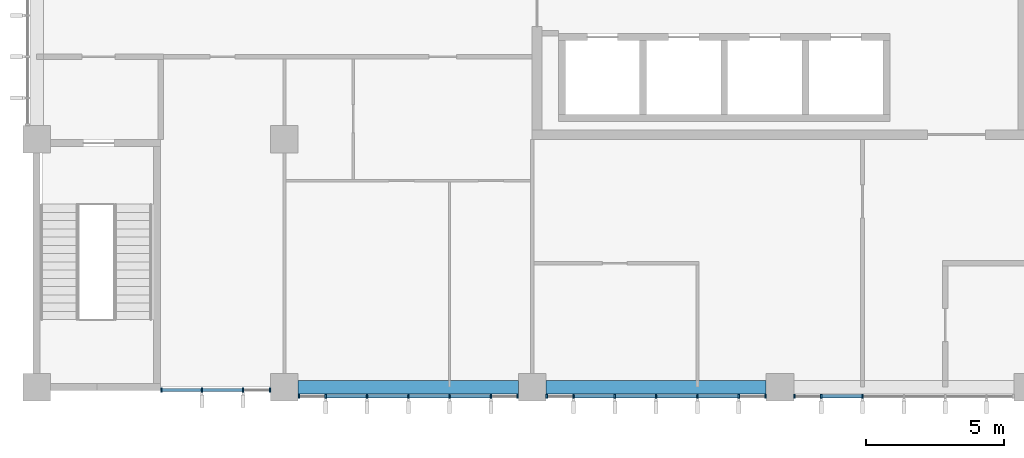
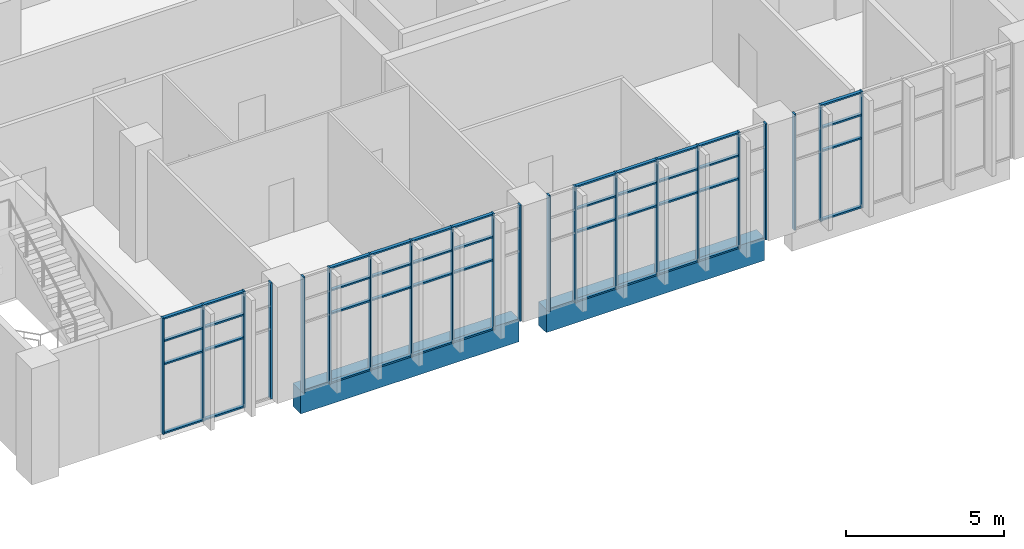
# One storey, part 29 of 88: 65 members, 2 beams, 4 elements without a shape of their own.
"""IFC4 building model written with IfcOpenShell, lengths in metres."""

from ifc_helpers import new_model, si_unit, direction, frame, origin, origin_2d, place, context, subcontext, project, spatial, rectangle, extrude, material, layer, layer_set, material_profile, profile_set, type_object, element, aggregate, save


model = new_model("IFC4")

# Units and contexts
model_context = context("Model", 3, precision=1e-05, world=origin(), true_north=direction((0.0, 1.0)))
body_context = subcontext(model_context, "Body", "Model", "MODEL_VIEW")
ifc_project = project(units=[si_unit("LENGTHUNIT", "METRE"), si_unit("AREAUNIT", "SQUARE_METRE"), si_unit("VOLUMEUNIT", "CUBIC_METRE"), si_unit("PLANEANGLEUNIT", "RADIAN"), si_unit("MASSUNIT", "GRAM", prefix="KILO")], contexts=[model_context])

# Site, building, storey
site_placement = place(None, origin())
site = spatial("IfcSite", under=ifc_project, at=site_placement, CompositionType="ELEMENT")
building_placement = place(site_placement, origin())
building = spatial("IfcBuilding", under=site, at=building_placement, Name="Guidao Yard Department Store", CompositionType="ELEMENT")
storey_placement = place(building_placement, frame((0.0, 0.0, 6.0)))
storey = spatial("IfcBuildingStorey", under=building, at=storey_placement, Name="L01", CompositionType="ELEMENT", Elevation=6.0)

# Curtain wall, members
ifc_material_1 = material(Name="Aluminium and glass", Category="aluminium")
ifc_layer = layer(ifc_material_1, 0.159912109375)
ifc_layer_set = layer_set([ifc_layer], Name="Unitised curtain wall CW4 1500 module")
curtain_wall_type = type_object("IfcCurtainWallType", Name="Unitised curtain wall CW4 1500 module", PredefinedType="NOTDEFINED", material=ifc_layer_set)
curtain_wall_1_placement = place(storey_placement, origin())
curtain_wall_1 = element("IfcCurtainWall", 1, at=curtain_wall_1_placement, inside=storey, type_object=curtain_wall_type, Name="Unitised curtain wall", PredefinedType="NOTDEFINED")
ifc_material_2 = material(Name="Aluminium 6063-T5", Category="aluminium")
ifc_material_profile_1 = material_profile(ifc_material_2, rectangle(XDim=0.06005859375, YDim=0.159912109375, at=origin_2d()), Name="Mullion M1 60 x 160 aluminium pressure plate")
ifc_profile_set_1 = profile_set([ifc_material_profile_1], Name="Aluminium 6063-T5")
member_type_1 = type_object("IfcMemberType", Name="Mullion M1 60 x 160 aluminium pressure plate", PredefinedType="MULLION", material=ifc_profile_set_1)
member_1_placement = place(storey_placement, frame((130.530029296875, -0.10009765625, 0.0), z_axis=(0.0, 0.0, 1.0), x_axis=(-1.0, 0.0, 0.0)))
member_1 = element("IfcMember", 2, at=member_1_placement, type_object=member_type_1, Name="CW-OW-L01-01 mullion 1", PredefinedType="MULLION", context=body_context, shape_type="SweptSolid", body=[
    extrude(rectangle(XDim=0.06005859375, YDim=0.159912109375, at=origin_2d()), origin(), (0.0, 0.0, 1.0), 4.5),
])
member_2_placement = place(storey_placement, frame((132.0, -0.10009765625, 0.0), z_axis=(0.0, 0.0, 1.0), x_axis=(-1.0, 0.0, 0.0)))
member_2 = element("IfcMember", 3, at=member_2_placement, type_object=member_type_1, Name="CW-OW-L01-01 mullion 2", PredefinedType="MULLION", context=body_context, shape_type="SweptSolid", body=[
    extrude(rectangle(XDim=0.06005859375, YDim=0.159912109375, at=origin_2d()), origin(), (0.0, 0.0, 1.0), 4.5),
])
member_3_placement = place(storey_placement, frame((133.5, -0.10009765625, 0.0), z_axis=(0.0, 0.0, 1.0), x_axis=(-1.0, 0.0, 0.0)))
member_3 = element("IfcMember", 4, at=member_3_placement, type_object=member_type_1, Name="CW-OW-L01-01 mullion 3", PredefinedType="MULLION", context=body_context, shape_type="SweptSolid", body=[
    extrude(rectangle(XDim=0.06005859375, YDim=0.159912109375, at=origin_2d()), origin(), (0.0, 0.0, 1.0), 4.5),
])
member_4_placement = place(storey_placement, frame((134.469970703125, -0.10009765625, 0.0), z_axis=(0.0, 0.0, 1.0), x_axis=(-1.0, 0.0, 0.0)))
member_4 = element("IfcMember", 5, at=member_4_placement, type_object=member_type_1, Name="CW-OW-L01-01 mullion 4", PredefinedType="MULLION", context=body_context, shape_type="SweptSolid", body=[
    extrude(rectangle(XDim=0.06005859375, YDim=0.159912109375, at=origin_2d()), origin(), (0.0, 0.0, 1.0), 4.5),
])

curtain_wall_2_placement = place(storey_placement, origin())
curtain_wall_2 = element("IfcCurtainWall", 6, at=curtain_wall_2_placement, inside=storey, type_object=curtain_wall_type, Name="Unitised curtain wall", PredefinedType="NOTDEFINED")
member_5_placement = place(storey_placement, frame((135.530029296875, -0.330078125, 0.0), z_axis=(0.0, 0.0, 1.0), x_axis=(-1.0, 0.0, 0.0)))
member_5 = element("IfcMember", 7, at=member_5_placement, type_object=member_type_1, Name="CW-OW-L01-02 mullion 1", PredefinedType="MULLION", context=body_context, shape_type="SweptSolid", body=[
    extrude(rectangle(XDim=0.06005859375, YDim=0.159912109375, at=origin_2d()), origin(), (0.0, 0.0, 1.0), 4.5),
])
member_6_placement = place(storey_placement, frame((136.5, -0.330078125, 0.0), z_axis=(0.0, 0.0, 1.0), x_axis=(-1.0, 0.0, 0.0)))
member_6 = element("IfcMember", 8, at=member_6_placement, type_object=member_type_1, Name="CW-OW-L01-02 mullion 2", PredefinedType="MULLION", context=body_context, shape_type="SweptSolid", body=[
    extrude(rectangle(XDim=0.06005859375, YDim=0.159912109375, at=origin_2d()), origin(), (0.0, 0.0, 1.0), 4.5),
])
member_7_placement = place(storey_placement, frame((138.0, -0.330078125, 0.0), z_axis=(0.0, 0.0, 1.0), x_axis=(-1.0, 0.0, 0.0)))
member_7 = element("IfcMember", 9, at=member_7_placement, type_object=member_type_1, Name="CW-OW-L01-02 mullion 3", PredefinedType="MULLION", context=body_context, shape_type="SweptSolid", body=[
    extrude(rectangle(XDim=0.06005859375, YDim=0.159912109375, at=origin_2d()), origin(), (0.0, 0.0, 1.0), 4.5),
])
member_8_placement = place(storey_placement, frame((139.5, -0.330078125, 0.0), z_axis=(0.0, 0.0, 1.0), x_axis=(-1.0, 0.0, 0.0)))
member_8 = element("IfcMember", 10, at=member_8_placement, type_object=member_type_1, Name="CW-OW-L01-02 mullion 4", PredefinedType="MULLION", context=body_context, shape_type="SweptSolid", body=[
    extrude(rectangle(XDim=0.06005859375, YDim=0.159912109375, at=origin_2d()), origin(), (0.0, 0.0, 1.0), 4.5),
])
member_9_placement = place(storey_placement, frame((141.0, -0.330078125, 0.0), z_axis=(0.0, 0.0, 1.0), x_axis=(-1.0, 0.0, 0.0)))
member_9 = element("IfcMember", 11, at=member_9_placement, type_object=member_type_1, Name="CW-OW-L01-02 mullion 5", PredefinedType="MULLION", context=body_context, shape_type="SweptSolid", body=[
    extrude(rectangle(XDim=0.06005859375, YDim=0.159912109375, at=origin_2d()), origin(), (0.0, 0.0, 1.0), 4.5),
])
member_10_placement = place(storey_placement, frame((142.5, -0.330078125, 0.0), z_axis=(0.0, 0.0, 1.0), x_axis=(-1.0, 0.0, 0.0)))
member_10 = element("IfcMember", 12, at=member_10_placement, type_object=member_type_1, Name="CW-OW-L01-02 mullion 6", PredefinedType="MULLION", context=body_context, shape_type="SweptSolid", body=[
    extrude(rectangle(XDim=0.06005859375, YDim=0.159912109375, at=origin_2d()), origin(), (0.0, 0.0, 1.0), 4.5),
])
member_11_placement = place(storey_placement, frame((143.469970703125, -0.330078125, 0.0), z_axis=(0.0, 0.0, 1.0), x_axis=(-1.0, 0.0, 0.0)))
member_11 = element("IfcMember", 13, at=member_11_placement, type_object=member_type_1, Name="CW-OW-L01-02 mullion 7", PredefinedType="MULLION", context=body_context, shape_type="SweptSolid", body=[
    extrude(rectangle(XDim=0.06005859375, YDim=0.159912109375, at=origin_2d()), origin(), (0.0, 0.0, 1.0), 4.5),
])

curtain_wall_3_placement = place(storey_placement, origin())
curtain_wall_3 = element("IfcCurtainWall", 14, at=curtain_wall_3_placement, inside=storey, type_object=curtain_wall_type, Name="Unitised curtain wall", PredefinedType="NOTDEFINED")
member_12_placement = place(storey_placement, frame((144.530029296875, -0.330078125, 0.0), z_axis=(0.0, 0.0, 1.0), x_axis=(-1.0, 0.0, 0.0)))
member_12 = element("IfcMember", 15, at=member_12_placement, type_object=member_type_1, Name="CW-OW-L01-03 mullion 1", PredefinedType="MULLION", context=body_context, shape_type="SweptSolid", body=[
    extrude(rectangle(XDim=0.06005859375, YDim=0.159912109375, at=origin_2d()), origin(), (0.0, 0.0, 1.0), 4.5),
])
member_13_placement = place(storey_placement, frame((145.5, -0.330078125, 0.0), z_axis=(0.0, 0.0, 1.0), x_axis=(-1.0, 0.0, 0.0)))
member_13 = element("IfcMember", 16, at=member_13_placement, type_object=member_type_1, Name="CW-OW-L01-03 mullion 2", PredefinedType="MULLION", context=body_context, shape_type="SweptSolid", body=[
    extrude(rectangle(XDim=0.06005859375, YDim=0.159912109375, at=origin_2d()), origin(), (0.0, 0.0, 1.0), 4.5),
])
member_14_placement = place(storey_placement, frame((147.0, -0.330078125, 0.0), z_axis=(0.0, 0.0, 1.0), x_axis=(-1.0, 0.0, 0.0)))
member_14 = element("IfcMember", 17, at=member_14_placement, type_object=member_type_1, Name="CW-OW-L01-03 mullion 3", PredefinedType="MULLION", context=body_context, shape_type="SweptSolid", body=[
    extrude(rectangle(XDim=0.06005859375, YDim=0.159912109375, at=origin_2d()), origin(), (0.0, 0.0, 1.0), 4.5),
])
member_15_placement = place(storey_placement, frame((148.5, -0.330078125, 0.0), z_axis=(0.0, 0.0, 1.0), x_axis=(-1.0, 0.0, 0.0)))
member_15 = element("IfcMember", 18, at=member_15_placement, type_object=member_type_1, Name="CW-OW-L01-03 mullion 4", PredefinedType="MULLION", context=body_context, shape_type="SweptSolid", body=[
    extrude(rectangle(XDim=0.06005859375, YDim=0.159912109375, at=origin_2d()), origin(), (0.0, 0.0, 1.0), 4.5),
])
member_16_placement = place(storey_placement, frame((150.0, -0.330078125, 0.0), z_axis=(0.0, 0.0, 1.0), x_axis=(-1.0, 0.0, 0.0)))
member_16 = element("IfcMember", 19, at=member_16_placement, type_object=member_type_1, Name="CW-OW-L01-03 mullion 5", PredefinedType="MULLION", context=body_context, shape_type="SweptSolid", body=[
    extrude(rectangle(XDim=0.06005859375, YDim=0.159912109375, at=origin_2d()), origin(), (0.0, 0.0, 1.0), 4.5),
])
member_17_placement = place(storey_placement, frame((151.5, -0.330078125, 0.0), z_axis=(0.0, 0.0, 1.0), x_axis=(-1.0, 0.0, 0.0)))
member_17 = element("IfcMember", 20, at=member_17_placement, type_object=member_type_1, Name="CW-OW-L01-03 mullion 6", PredefinedType="MULLION", context=body_context, shape_type="SweptSolid", body=[
    extrude(rectangle(XDim=0.06005859375, YDim=0.159912109375, at=origin_2d()), origin(), (0.0, 0.0, 1.0), 4.5),
])
member_18_placement = place(storey_placement, frame((152.469970703125, -0.330078125, 0.0), z_axis=(0.0, 0.0, 1.0), x_axis=(-1.0, 0.0, 0.0)))
member_18 = element("IfcMember", 21, at=member_18_placement, type_object=member_type_1, Name="CW-OW-L01-03 mullion 7", PredefinedType="MULLION", context=body_context, shape_type="SweptSolid", body=[
    extrude(rectangle(XDim=0.06005859375, YDim=0.159912109375, at=origin_2d()), origin(), (0.0, 0.0, 1.0), 4.5),
])

curtain_wall_4_placement = place(storey_placement, origin())
curtain_wall_4 = element("IfcCurtainWall", 22, at=curtain_wall_4_placement, inside=storey, type_object=curtain_wall_type, Name="Unitised curtain wall", PredefinedType="NOTDEFINED")
member_19_placement = place(storey_placement, frame((153.530029296875, -0.330078125, 0.0), z_axis=(0.0, 0.0, 1.0), x_axis=(-1.0, 0.0, 0.0)))
member_19 = element("IfcMember", 23, at=member_19_placement, type_object=member_type_1, Name="CW-OW-L01-04 mullion 1", PredefinedType="MULLION", context=body_context, shape_type="SweptSolid", body=[
    extrude(rectangle(XDim=0.06005859375, YDim=0.159912109375, at=origin_2d()), origin(), (0.0, 0.0, 1.0), 4.5),
])
member_20_placement = place(storey_placement, frame((154.5, -0.330078125, 0.0), z_axis=(0.0, 0.0, 1.0), x_axis=(-1.0, 0.0, 0.0)))
member_20 = element("IfcMember", 24, at=member_20_placement, type_object=member_type_1, Name="CW-OW-L01-04 mullion 2", PredefinedType="MULLION", context=body_context, shape_type="SweptSolid", body=[
    extrude(rectangle(XDim=0.06005859375, YDim=0.159912109375, at=origin_2d()), origin(), (0.0, 0.0, 1.0), 4.5),
])
member_21_placement = place(storey_placement, frame((156.0, -0.330078125, 0.0), z_axis=(0.0, 0.0, 1.0), x_axis=(-1.0, 0.0, 0.0)))
member_21 = element("IfcMember", 25, at=member_21_placement, type_object=member_type_1, Name="CW-OW-L01-04 mullion 3", PredefinedType="MULLION", context=body_context, shape_type="SweptSolid", body=[
    extrude(rectangle(XDim=0.06005859375, YDim=0.159912109375, at=origin_2d()), origin(), (0.0, 0.0, 1.0), 4.5),
])

# Beams
ifc_material_3 = material(Name="Concrete C40", Category="concrete")
ifc_material_profile_2 = material_profile(ifc_material_3, rectangle(XDim=0.5, YDim=0.89990234375, at=origin_2d()), Name="Spandrel beam 500 x 900 C40")
ifc_profile_set_2 = profile_set([ifc_material_profile_2], Name="Concrete C40")
beam_type = type_object("IfcBeamType", Name="Spandrel beam 500 x 900 C40", PredefinedType="SPANDREL", material=ifc_profile_set_2)
for number, where, z_axis, x_axis, name in (
    (26, (135.5, 0.0, -0.449951171875), (1.0, 0.0, 0.0), (0.0, 1.0, 0.0), "Beam FB01"),
    (27, (144.5, 0.0, -0.449951171875), (1.0, 0.0, 0.0), (0.0, 1.0, 0.0), "Beam FB02"),
):
    element("IfcBeam", number, at=place(storey_placement, frame(where, z_axis=z_axis, x_axis=x_axis)), inside=storey, type_object=beam_type, Name=name, PredefinedType="SPANDREL", context=body_context, shape_type="SweptSolid", body=[
        extrude(rectangle(XDim=0.5, YDim=0.89990234375, at=origin_2d()), origin(), (0.0, 0.0, 1.0), 8.0),
    ])

# Member
ifc_material_4 = material(Name="Aluminium 6063-T5", Category="aluminium")
ifc_material_profile_3 = material_profile(ifc_material_4, rectangle(XDim=0.1201171875, YDim=0.06005859375, at=origin_2d()), Name="Transom T1 60 x 120 aluminium pressure plate")
ifc_profile_set_3 = profile_set([ifc_material_profile_3], Name="Aluminium 6063-T5")
member_type_2 = type_object("IfcMemberType", Name="Transom T1 60 x 120 aluminium pressure plate", PredefinedType="USERDEFINED", material=ifc_profile_set_3)
member_22_placement = place(storey_placement, frame((131.969970703125, -0.10009765625, 0.030029296875), z_axis=(-1.0, 0.0, 0.0), x_axis=(0.0, -1.0, 0.0)))
member_22 = element("IfcMember", 28, at=member_22_placement, type_object=member_type_2, Name="CW-OW-L01-01 transom 1.1", ObjectType="TRANSOM", PredefinedType="USERDEFINED", context=body_context, shape_type="SweptSolid", body=[
    extrude(rectangle(XDim=0.1201171875, YDim=0.06005859375, at=origin_2d()), origin(), (0.0, 0.0, 1.0), 1.409912109375),
])

member_23_placement = place(storey_placement, frame((131.969970703125, -0.10009765625, 2.699951171875), z_axis=(-1.0, 0.0, 0.0), x_axis=(0.0, -1.0, 0.0)))
member_23 = element("IfcMember", 29, at=member_23_placement, type_object=member_type_2, Name="CW-OW-L01-01 transom 1.2", ObjectType="TRANSOM", PredefinedType="USERDEFINED", context=body_context, shape_type="SweptSolid", body=[
    extrude(rectangle(XDim=0.1201171875, YDim=0.06005859375, at=origin_2d()), origin(), (0.0, 0.0, 1.0), 1.409912109375),
])

member_24_placement = place(storey_placement, frame((131.969970703125, -0.10009765625, 3.60009765625), z_axis=(-1.0, 0.0, 0.0), x_axis=(0.0, -1.0, 0.0)))
member_24 = element("IfcMember", 30, at=member_24_placement, type_object=member_type_2, Name="CW-OW-L01-01 transom 1.3", ObjectType="TRANSOM", PredefinedType="USERDEFINED", context=body_context, shape_type="SweptSolid", body=[
    extrude(rectangle(XDim=0.1201171875, YDim=0.06005859375, at=origin_2d()), origin(), (0.0, 0.0, 1.0), 1.409912109375),
])

member_25_placement = place(storey_placement, frame((131.969970703125, -0.10009765625, 4.469970703125), z_axis=(-1.0, 0.0, 0.0), x_axis=(0.0, -1.0, 0.0)))
member_25 = element("IfcMember", 31, at=member_25_placement, type_object=member_type_2, Name="CW-OW-L01-01 transom 1.4", ObjectType="TRANSOM", PredefinedType="USERDEFINED", context=body_context, shape_type="SweptSolid", body=[
    extrude(rectangle(XDim=0.1201171875, YDim=0.06005859375, at=origin_2d()), origin(), (0.0, 0.0, 1.0), 1.409912109375),
])

member_26_placement = place(storey_placement, frame((133.469970703125, -0.10009765625, 0.030029296875), z_axis=(-1.0, 0.0, 0.0), x_axis=(0.0, -1.0, 0.0)))
member_26 = element("IfcMember", 32, at=member_26_placement, type_object=member_type_2, Name="CW-OW-L01-01 transom 2.1", ObjectType="TRANSOM", PredefinedType="USERDEFINED", context=body_context, shape_type="SweptSolid", body=[
    extrude(rectangle(XDim=0.1201171875, YDim=0.06005859375, at=origin_2d()), origin(), (0.0, 0.0, 1.0), 1.43994140625),
])

member_27_placement = place(storey_placement, frame((133.469970703125, -0.10009765625, 2.699951171875), z_axis=(-1.0, 0.0, 0.0), x_axis=(0.0, -1.0, 0.0)))
member_27 = element("IfcMember", 33, at=member_27_placement, type_object=member_type_2, Name="CW-OW-L01-01 transom 2.2", ObjectType="TRANSOM", PredefinedType="USERDEFINED", context=body_context, shape_type="SweptSolid", body=[
    extrude(rectangle(XDim=0.1201171875, YDim=0.06005859375, at=origin_2d()), origin(), (0.0, 0.0, 1.0), 1.43994140625),
])

member_28_placement = place(storey_placement, frame((133.469970703125, -0.10009765625, 3.60009765625), z_axis=(-1.0, 0.0, 0.0), x_axis=(0.0, -1.0, 0.0)))
member_28 = element("IfcMember", 34, at=member_28_placement, type_object=member_type_2, Name="CW-OW-L01-01 transom 2.3", ObjectType="TRANSOM", PredefinedType="USERDEFINED", context=body_context, shape_type="SweptSolid", body=[
    extrude(rectangle(XDim=0.1201171875, YDim=0.06005859375, at=origin_2d()), origin(), (0.0, 0.0, 1.0), 1.43994140625),
])

member_29_placement = place(storey_placement, frame((133.469970703125, -0.10009765625, 4.469970703125), z_axis=(-1.0, 0.0, 0.0), x_axis=(0.0, -1.0, 0.0)))
member_29 = element("IfcMember", 35, at=member_29_placement, type_object=member_type_2, Name="CW-OW-L01-01 transom 2.4", ObjectType="TRANSOM", PredefinedType="USERDEFINED", context=body_context, shape_type="SweptSolid", body=[
    extrude(rectangle(XDim=0.1201171875, YDim=0.06005859375, at=origin_2d()), origin(), (0.0, 0.0, 1.0), 1.43994140625),
])

aggregate(curtain_wall_1, [member_1, member_2, member_3, member_4, member_22, member_23, member_24, member_25, member_26, member_27, member_28, member_29])

member_30_placement = place(storey_placement, frame((137.969970703125, -0.330078125, 0.030029296875), z_axis=(-1.0, 0.0, 0.0), x_axis=(0.0, -1.0, 0.0)))
member_30 = element("IfcMember", 36, at=member_30_placement, type_object=member_type_2, Name="CW-OW-L01-02 transom 2.1", ObjectType="TRANSOM", PredefinedType="USERDEFINED", context=body_context, shape_type="SweptSolid", body=[
    extrude(rectangle(XDim=0.1201171875, YDim=0.06005859375, at=origin_2d()), origin(), (0.0, 0.0, 1.0), 1.43994140625),
])

member_31_placement = place(storey_placement, frame((137.969970703125, -0.330078125, 2.699951171875), z_axis=(-1.0, 0.0, 0.0), x_axis=(0.0, -1.0, 0.0)))
member_31 = element("IfcMember", 37, at=member_31_placement, type_object=member_type_2, Name="CW-OW-L01-02 transom 2.2", ObjectType="TRANSOM", PredefinedType="USERDEFINED", context=body_context, shape_type="SweptSolid", body=[
    extrude(rectangle(XDim=0.1201171875, YDim=0.06005859375, at=origin_2d()), origin(), (0.0, 0.0, 1.0), 1.43994140625),
])

member_32_placement = place(storey_placement, frame((137.969970703125, -0.330078125, 3.60009765625), z_axis=(-1.0, 0.0, 0.0), x_axis=(0.0, -1.0, 0.0)))
member_32 = element("IfcMember", 38, at=member_32_placement, type_object=member_type_2, Name="CW-OW-L01-02 transom 2.3", ObjectType="TRANSOM", PredefinedType="USERDEFINED", context=body_context, shape_type="SweptSolid", body=[
    extrude(rectangle(XDim=0.1201171875, YDim=0.06005859375, at=origin_2d()), origin(), (0.0, 0.0, 1.0), 1.43994140625),
])

member_33_placement = place(storey_placement, frame((137.969970703125, -0.330078125, 4.469970703125), z_axis=(-1.0, 0.0, 0.0), x_axis=(0.0, -1.0, 0.0)))
member_33 = element("IfcMember", 39, at=member_33_placement, type_object=member_type_2, Name="CW-OW-L01-02 transom 2.4", ObjectType="TRANSOM", PredefinedType="USERDEFINED", context=body_context, shape_type="SweptSolid", body=[
    extrude(rectangle(XDim=0.1201171875, YDim=0.06005859375, at=origin_2d()), origin(), (0.0, 0.0, 1.0), 1.43994140625),
])

member_34_placement = place(storey_placement, frame((139.469970703125, -0.330078125, 0.030029296875), z_axis=(-1.0, 0.0, 0.0), x_axis=(0.0, -1.0, 0.0)))
member_34 = element("IfcMember", 40, at=member_34_placement, type_object=member_type_2, Name="CW-OW-L01-02 transom 3.1", ObjectType="TRANSOM", PredefinedType="USERDEFINED", context=body_context, shape_type="SweptSolid", body=[
    extrude(rectangle(XDim=0.1201171875, YDim=0.06005859375, at=origin_2d()), origin(), (0.0, 0.0, 1.0), 1.43994140625),
])

member_35_placement = place(storey_placement, frame((139.469970703125, -0.330078125, 2.699951171875), z_axis=(-1.0, 0.0, 0.0), x_axis=(0.0, -1.0, 0.0)))
member_35 = element("IfcMember", 41, at=member_35_placement, type_object=member_type_2, Name="CW-OW-L01-02 transom 3.2", ObjectType="TRANSOM", PredefinedType="USERDEFINED", context=body_context, shape_type="SweptSolid", body=[
    extrude(rectangle(XDim=0.1201171875, YDim=0.06005859375, at=origin_2d()), origin(), (0.0, 0.0, 1.0), 1.43994140625),
])

member_36_placement = place(storey_placement, frame((139.469970703125, -0.330078125, 3.60009765625), z_axis=(-1.0, 0.0, 0.0), x_axis=(0.0, -1.0, 0.0)))
member_36 = element("IfcMember", 42, at=member_36_placement, type_object=member_type_2, Name="CW-OW-L01-02 transom 3.3", ObjectType="TRANSOM", PredefinedType="USERDEFINED", context=body_context, shape_type="SweptSolid", body=[
    extrude(rectangle(XDim=0.1201171875, YDim=0.06005859375, at=origin_2d()), origin(), (0.0, 0.0, 1.0), 1.43994140625),
])

member_37_placement = place(storey_placement, frame((139.469970703125, -0.330078125, 4.469970703125), z_axis=(-1.0, 0.0, 0.0), x_axis=(0.0, -1.0, 0.0)))
member_37 = element("IfcMember", 43, at=member_37_placement, type_object=member_type_2, Name="CW-OW-L01-02 transom 3.4", ObjectType="TRANSOM", PredefinedType="USERDEFINED", context=body_context, shape_type="SweptSolid", body=[
    extrude(rectangle(XDim=0.1201171875, YDim=0.06005859375, at=origin_2d()), origin(), (0.0, 0.0, 1.0), 1.43994140625),
])

member_38_placement = place(storey_placement, frame((140.969970703125, -0.330078125, 0.030029296875), z_axis=(-1.0, 0.0, 0.0), x_axis=(0.0, -1.0, 0.0)))
member_38 = element("IfcMember", 44, at=member_38_placement, type_object=member_type_2, Name="CW-OW-L01-02 transom 4.1", ObjectType="TRANSOM", PredefinedType="USERDEFINED", context=body_context, shape_type="SweptSolid", body=[
    extrude(rectangle(XDim=0.1201171875, YDim=0.06005859375, at=origin_2d()), origin(), (0.0, 0.0, 1.0), 1.43994140625),
])

member_39_placement = place(storey_placement, frame((140.969970703125, -0.330078125, 2.699951171875), z_axis=(-1.0, 0.0, 0.0), x_axis=(0.0, -1.0, 0.0)))
member_39 = element("IfcMember", 45, at=member_39_placement, type_object=member_type_2, Name="CW-OW-L01-02 transom 4.2", ObjectType="TRANSOM", PredefinedType="USERDEFINED", context=body_context, shape_type="SweptSolid", body=[
    extrude(rectangle(XDim=0.1201171875, YDim=0.06005859375, at=origin_2d()), origin(), (0.0, 0.0, 1.0), 1.43994140625),
])

member_40_placement = place(storey_placement, frame((140.969970703125, -0.330078125, 3.60009765625), z_axis=(-1.0, 0.0, 0.0), x_axis=(0.0, -1.0, 0.0)))
member_40 = element("IfcMember", 46, at=member_40_placement, type_object=member_type_2, Name="CW-OW-L01-02 transom 4.3", ObjectType="TRANSOM", PredefinedType="USERDEFINED", context=body_context, shape_type="SweptSolid", body=[
    extrude(rectangle(XDim=0.1201171875, YDim=0.06005859375, at=origin_2d()), origin(), (0.0, 0.0, 1.0), 1.43994140625),
])

member_41_placement = place(storey_placement, frame((140.969970703125, -0.330078125, 4.469970703125), z_axis=(-1.0, 0.0, 0.0), x_axis=(0.0, -1.0, 0.0)))
member_41 = element("IfcMember", 47, at=member_41_placement, type_object=member_type_2, Name="CW-OW-L01-02 transom 4.4", ObjectType="TRANSOM", PredefinedType="USERDEFINED", context=body_context, shape_type="SweptSolid", body=[
    extrude(rectangle(XDim=0.1201171875, YDim=0.06005859375, at=origin_2d()), origin(), (0.0, 0.0, 1.0), 1.43994140625),
])

member_42_placement = place(storey_placement, frame((142.469970703125, -0.330078125, 0.030029296875), z_axis=(-1.0, 0.0, 0.0), x_axis=(0.0, -1.0, 0.0)))
member_42 = element("IfcMember", 48, at=member_42_placement, type_object=member_type_2, Name="CW-OW-L01-02 transom 5.1", ObjectType="TRANSOM", PredefinedType="USERDEFINED", context=body_context, shape_type="SweptSolid", body=[
    extrude(rectangle(XDim=0.1201171875, YDim=0.06005859375, at=origin_2d()), origin(), (0.0, 0.0, 1.0), 1.43994140625),
])

member_43_placement = place(storey_placement, frame((142.469970703125, -0.330078125, 2.699951171875), z_axis=(-1.0, 0.0, 0.0), x_axis=(0.0, -1.0, 0.0)))
member_43 = element("IfcMember", 49, at=member_43_placement, type_object=member_type_2, Name="CW-OW-L01-02 transom 5.2", ObjectType="TRANSOM", PredefinedType="USERDEFINED", context=body_context, shape_type="SweptSolid", body=[
    extrude(rectangle(XDim=0.1201171875, YDim=0.06005859375, at=origin_2d()), origin(), (0.0, 0.0, 1.0), 1.43994140625),
])

member_44_placement = place(storey_placement, frame((142.469970703125, -0.330078125, 3.60009765625), z_axis=(-1.0, 0.0, 0.0), x_axis=(0.0, -1.0, 0.0)))
member_44 = element("IfcMember", 50, at=member_44_placement, type_object=member_type_2, Name="CW-OW-L01-02 transom 5.3", ObjectType="TRANSOM", PredefinedType="USERDEFINED", context=body_context, shape_type="SweptSolid", body=[
    extrude(rectangle(XDim=0.1201171875, YDim=0.06005859375, at=origin_2d()), origin(), (0.0, 0.0, 1.0), 1.43994140625),
])

member_45_placement = place(storey_placement, frame((142.469970703125, -0.330078125, 4.469970703125), z_axis=(-1.0, 0.0, 0.0), x_axis=(0.0, -1.0, 0.0)))
member_45 = element("IfcMember", 51, at=member_45_placement, type_object=member_type_2, Name="CW-OW-L01-02 transom 5.4", ObjectType="TRANSOM", PredefinedType="USERDEFINED", context=body_context, shape_type="SweptSolid", body=[
    extrude(rectangle(XDim=0.1201171875, YDim=0.06005859375, at=origin_2d()), origin(), (0.0, 0.0, 1.0), 1.43994140625),
])

aggregate(curtain_wall_2, [member_5, member_6, member_7, member_8, member_9, member_10, member_11, member_30, member_31, member_32, member_33, member_34, member_35, member_36, member_37, member_38, member_39, member_40, member_41, member_42, member_43, member_44, member_45])

member_46_placement = place(storey_placement, frame((146.969970703125, -0.330078125, 0.030029296875), z_axis=(-1.0, 0.0, 0.0), x_axis=(0.0, -1.0, 0.0)))
member_46 = element("IfcMember", 52, at=member_46_placement, type_object=member_type_2, Name="CW-OW-L01-03 transom 2.1", ObjectType="TRANSOM", PredefinedType="USERDEFINED", context=body_context, shape_type="SweptSolid", body=[
    extrude(rectangle(XDim=0.1201171875, YDim=0.06005859375, at=origin_2d()), origin(), (0.0, 0.0, 1.0), 1.43994140625),
])

member_47_placement = place(storey_placement, frame((146.969970703125, -0.330078125, 2.699951171875), z_axis=(-1.0, 0.0, 0.0), x_axis=(0.0, -1.0, 0.0)))
member_47 = element("IfcMember", 53, at=member_47_placement, type_object=member_type_2, Name="CW-OW-L01-03 transom 2.2", ObjectType="TRANSOM", PredefinedType="USERDEFINED", context=body_context, shape_type="SweptSolid", body=[
    extrude(rectangle(XDim=0.1201171875, YDim=0.06005859375, at=origin_2d()), origin(), (0.0, 0.0, 1.0), 1.43994140625),
])

member_48_placement = place(storey_placement, frame((146.969970703125, -0.330078125, 3.60009765625), z_axis=(-1.0, 0.0, 0.0), x_axis=(0.0, -1.0, 0.0)))
member_48 = element("IfcMember", 54, at=member_48_placement, type_object=member_type_2, Name="CW-OW-L01-03 transom 2.3", ObjectType="TRANSOM", PredefinedType="USERDEFINED", context=body_context, shape_type="SweptSolid", body=[
    extrude(rectangle(XDim=0.1201171875, YDim=0.06005859375, at=origin_2d()), origin(), (0.0, 0.0, 1.0), 1.43994140625),
])

member_49_placement = place(storey_placement, frame((146.969970703125, -0.330078125, 4.469970703125), z_axis=(-1.0, 0.0, 0.0), x_axis=(0.0, -1.0, 0.0)))
member_49 = element("IfcMember", 55, at=member_49_placement, type_object=member_type_2, Name="CW-OW-L01-03 transom 2.4", ObjectType="TRANSOM", PredefinedType="USERDEFINED", context=body_context, shape_type="SweptSolid", body=[
    extrude(rectangle(XDim=0.1201171875, YDim=0.06005859375, at=origin_2d()), origin(), (0.0, 0.0, 1.0), 1.43994140625),
])

member_50_placement = place(storey_placement, frame((148.469970703125, -0.330078125, 0.030029296875), z_axis=(-1.0, 0.0, 0.0), x_axis=(0.0, -1.0, 0.0)))
member_50 = element("IfcMember", 56, at=member_50_placement, type_object=member_type_2, Name="CW-OW-L01-03 transom 3.1", ObjectType="TRANSOM", PredefinedType="USERDEFINED", context=body_context, shape_type="SweptSolid", body=[
    extrude(rectangle(XDim=0.1201171875, YDim=0.06005859375, at=origin_2d()), origin(), (0.0, 0.0, 1.0), 1.43994140625),
])

member_51_placement = place(storey_placement, frame((148.469970703125, -0.330078125, 2.699951171875), z_axis=(-1.0, 0.0, 0.0), x_axis=(0.0, -1.0, 0.0)))
member_51 = element("IfcMember", 57, at=member_51_placement, type_object=member_type_2, Name="CW-OW-L01-03 transom 3.2", ObjectType="TRANSOM", PredefinedType="USERDEFINED", context=body_context, shape_type="SweptSolid", body=[
    extrude(rectangle(XDim=0.1201171875, YDim=0.06005859375, at=origin_2d()), origin(), (0.0, 0.0, 1.0), 1.43994140625),
])

member_52_placement = place(storey_placement, frame((148.469970703125, -0.330078125, 3.60009765625), z_axis=(-1.0, 0.0, 0.0), x_axis=(0.0, -1.0, 0.0)))
member_52 = element("IfcMember", 58, at=member_52_placement, type_object=member_type_2, Name="CW-OW-L01-03 transom 3.3", ObjectType="TRANSOM", PredefinedType="USERDEFINED", context=body_context, shape_type="SweptSolid", body=[
    extrude(rectangle(XDim=0.1201171875, YDim=0.06005859375, at=origin_2d()), origin(), (0.0, 0.0, 1.0), 1.43994140625),
])

member_53_placement = place(storey_placement, frame((148.469970703125, -0.330078125, 4.469970703125), z_axis=(-1.0, 0.0, 0.0), x_axis=(0.0, -1.0, 0.0)))
member_53 = element("IfcMember", 59, at=member_53_placement, type_object=member_type_2, Name="CW-OW-L01-03 transom 3.4", ObjectType="TRANSOM", PredefinedType="USERDEFINED", context=body_context, shape_type="SweptSolid", body=[
    extrude(rectangle(XDim=0.1201171875, YDim=0.06005859375, at=origin_2d()), origin(), (0.0, 0.0, 1.0), 1.43994140625),
])

member_54_placement = place(storey_placement, frame((149.969970703125, -0.330078125, 0.030029296875), z_axis=(-1.0, 0.0, 0.0), x_axis=(0.0, -1.0, 0.0)))
member_54 = element("IfcMember", 60, at=member_54_placement, type_object=member_type_2, Name="CW-OW-L01-03 transom 4.1", ObjectType="TRANSOM", PredefinedType="USERDEFINED", context=body_context, shape_type="SweptSolid", body=[
    extrude(rectangle(XDim=0.1201171875, YDim=0.06005859375, at=origin_2d()), origin(), (0.0, 0.0, 1.0), 1.43994140625),
])

member_55_placement = place(storey_placement, frame((149.969970703125, -0.330078125, 2.699951171875), z_axis=(-1.0, 0.0, 0.0), x_axis=(0.0, -1.0, 0.0)))
member_55 = element("IfcMember", 61, at=member_55_placement, type_object=member_type_2, Name="CW-OW-L01-03 transom 4.2", ObjectType="TRANSOM", PredefinedType="USERDEFINED", context=body_context, shape_type="SweptSolid", body=[
    extrude(rectangle(XDim=0.1201171875, YDim=0.06005859375, at=origin_2d()), origin(), (0.0, 0.0, 1.0), 1.43994140625),
])

member_56_placement = place(storey_placement, frame((149.969970703125, -0.330078125, 3.60009765625), z_axis=(-1.0, 0.0, 0.0), x_axis=(0.0, -1.0, 0.0)))
member_56 = element("IfcMember", 62, at=member_56_placement, type_object=member_type_2, Name="CW-OW-L01-03 transom 4.3", ObjectType="TRANSOM", PredefinedType="USERDEFINED", context=body_context, shape_type="SweptSolid", body=[
    extrude(rectangle(XDim=0.1201171875, YDim=0.06005859375, at=origin_2d()), origin(), (0.0, 0.0, 1.0), 1.43994140625),
])

member_57_placement = place(storey_placement, frame((149.969970703125, -0.330078125, 4.469970703125), z_axis=(-1.0, 0.0, 0.0), x_axis=(0.0, -1.0, 0.0)))
member_57 = element("IfcMember", 63, at=member_57_placement, type_object=member_type_2, Name="CW-OW-L01-03 transom 4.4", ObjectType="TRANSOM", PredefinedType="USERDEFINED", context=body_context, shape_type="SweptSolid", body=[
    extrude(rectangle(XDim=0.1201171875, YDim=0.06005859375, at=origin_2d()), origin(), (0.0, 0.0, 1.0), 1.43994140625),
])

member_58_placement = place(storey_placement, frame((151.469970703125, -0.330078125, 0.030029296875), z_axis=(-1.0, 0.0, 0.0), x_axis=(0.0, -1.0, 0.0)))
member_58 = element("IfcMember", 64, at=member_58_placement, type_object=member_type_2, Name="CW-OW-L01-03 transom 5.1", ObjectType="TRANSOM", PredefinedType="USERDEFINED", context=body_context, shape_type="SweptSolid", body=[
    extrude(rectangle(XDim=0.1201171875, YDim=0.06005859375, at=origin_2d()), origin(), (0.0, 0.0, 1.0), 1.43994140625),
])

member_59_placement = place(storey_placement, frame((151.469970703125, -0.330078125, 2.699951171875), z_axis=(-1.0, 0.0, 0.0), x_axis=(0.0, -1.0, 0.0)))
member_59 = element("IfcMember", 65, at=member_59_placement, type_object=member_type_2, Name="CW-OW-L01-03 transom 5.2", ObjectType="TRANSOM", PredefinedType="USERDEFINED", context=body_context, shape_type="SweptSolid", body=[
    extrude(rectangle(XDim=0.1201171875, YDim=0.06005859375, at=origin_2d()), origin(), (0.0, 0.0, 1.0), 1.43994140625),
])

member_60_placement = place(storey_placement, frame((151.469970703125, -0.330078125, 3.60009765625), z_axis=(-1.0, 0.0, 0.0), x_axis=(0.0, -1.0, 0.0)))
member_60 = element("IfcMember", 66, at=member_60_placement, type_object=member_type_2, Name="CW-OW-L01-03 transom 5.3", ObjectType="TRANSOM", PredefinedType="USERDEFINED", context=body_context, shape_type="SweptSolid", body=[
    extrude(rectangle(XDim=0.1201171875, YDim=0.06005859375, at=origin_2d()), origin(), (0.0, 0.0, 1.0), 1.43994140625),
])

member_61_placement = place(storey_placement, frame((151.469970703125, -0.330078125, 4.469970703125), z_axis=(-1.0, 0.0, 0.0), x_axis=(0.0, -1.0, 0.0)))
member_61 = element("IfcMember", 67, at=member_61_placement, type_object=member_type_2, Name="CW-OW-L01-03 transom 5.4", ObjectType="TRANSOM", PredefinedType="USERDEFINED", context=body_context, shape_type="SweptSolid", body=[
    extrude(rectangle(XDim=0.1201171875, YDim=0.06005859375, at=origin_2d()), origin(), (0.0, 0.0, 1.0), 1.43994140625),
])

aggregate(curtain_wall_3, [member_12, member_13, member_14, member_15, member_16, member_17, member_18, member_46, member_47, member_48, member_49, member_50, member_51, member_52, member_53, member_54, member_55, member_56, member_57, member_58, member_59, member_60, member_61])

member_62_placement = place(storey_placement, frame((155.969970703125, -0.330078125, 0.030029296875), z_axis=(-1.0, 0.0, 0.0), x_axis=(0.0, -1.0, 0.0)))
member_62 = element("IfcMember", 68, at=member_62_placement, type_object=member_type_2, Name="CW-OW-L01-04 transom 2.1", ObjectType="TRANSOM", PredefinedType="USERDEFINED", context=body_context, shape_type="SweptSolid", body=[
    extrude(rectangle(XDim=0.1201171875, YDim=0.06005859375, at=origin_2d()), origin(), (0.0, 0.0, 1.0), 1.43994140625),
])

member_63_placement = place(storey_placement, frame((155.969970703125, -0.330078125, 2.699951171875), z_axis=(-1.0, 0.0, 0.0), x_axis=(0.0, -1.0, 0.0)))
member_63 = element("IfcMember", 69, at=member_63_placement, type_object=member_type_2, Name="CW-OW-L01-04 transom 2.2", ObjectType="TRANSOM", PredefinedType="USERDEFINED", context=body_context, shape_type="SweptSolid", body=[
    extrude(rectangle(XDim=0.1201171875, YDim=0.06005859375, at=origin_2d()), origin(), (0.0, 0.0, 1.0), 1.43994140625),
])

member_64_placement = place(storey_placement, frame((155.969970703125, -0.330078125, 3.60009765625), z_axis=(-1.0, 0.0, 0.0), x_axis=(0.0, -1.0, 0.0)))
member_64 = element("IfcMember", 70, at=member_64_placement, type_object=member_type_2, Name="CW-OW-L01-04 transom 2.3", ObjectType="TRANSOM", PredefinedType="USERDEFINED", context=body_context, shape_type="SweptSolid", body=[
    extrude(rectangle(XDim=0.1201171875, YDim=0.06005859375, at=origin_2d()), origin(), (0.0, 0.0, 1.0), 1.43994140625),
])

member_65_placement = place(storey_placement, frame((155.969970703125, -0.330078125, 4.469970703125), z_axis=(-1.0, 0.0, 0.0), x_axis=(0.0, -1.0, 0.0)))
member_65 = element("IfcMember", 71, at=member_65_placement, type_object=member_type_2, Name="CW-OW-L01-04 transom 2.4", ObjectType="TRANSOM", PredefinedType="USERDEFINED", context=body_context, shape_type="SweptSolid", body=[
    extrude(rectangle(XDim=0.1201171875, YDim=0.06005859375, at=origin_2d()), origin(), (0.0, 0.0, 1.0), 1.43994140625),
])

aggregate(curtain_wall_4, [member_19, member_20, member_21, member_62, member_63, member_64, member_65])

save(model, "model.ifc")
